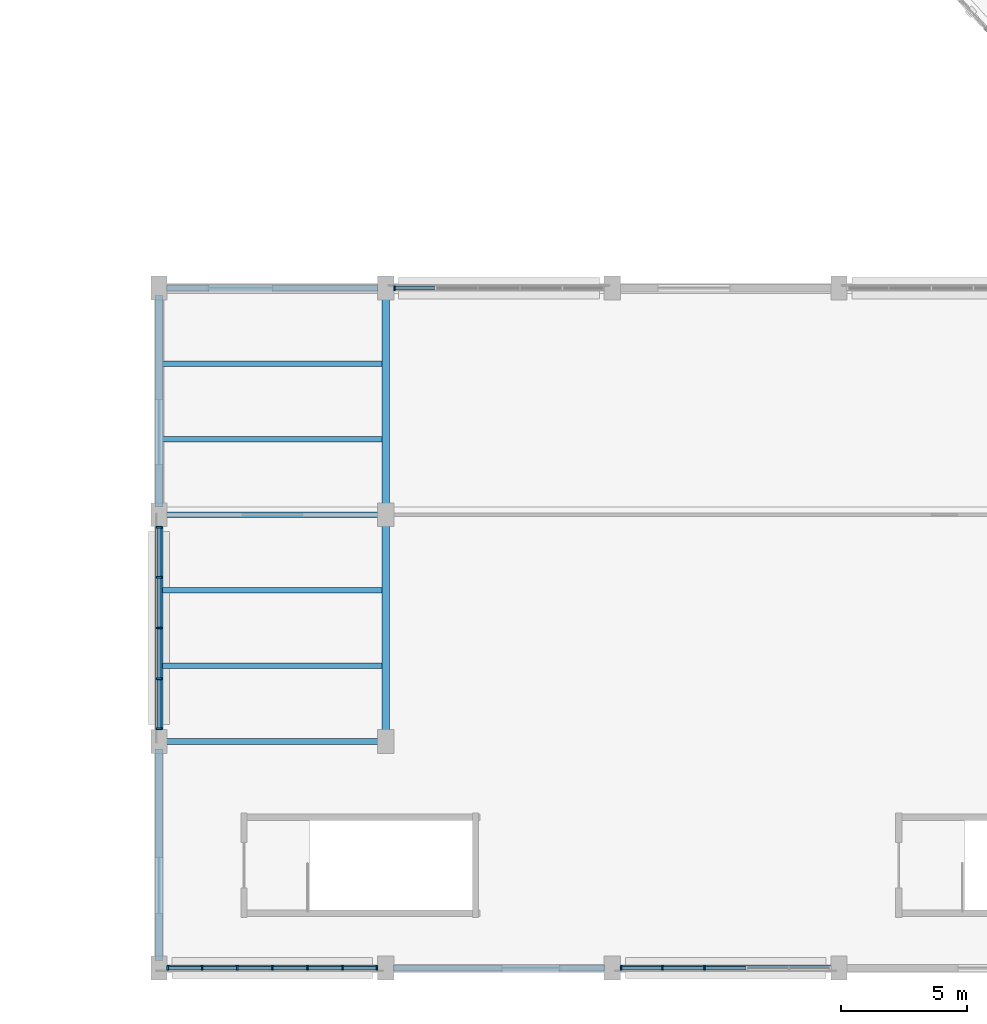
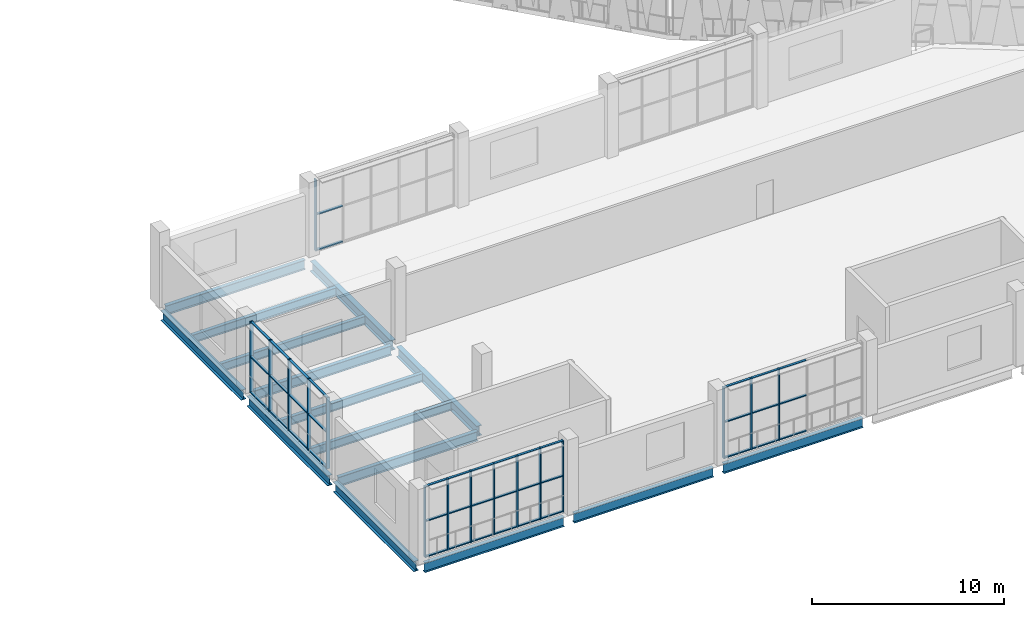
# One storey, part 3 of 152: 57 members, 15 beams, 4 elements without a shape of their own.
"""IFC4 building model written with IfcOpenShell, lengths in metres."""

from ifc_helpers import new_model, si_unit, direction, frame, origin, origin_2d, place, context, subcontext, project, spatial, rectangle, i_section, extrude, material, material_profile, profile_set, type_object, element, aggregate, save


model = new_model("IFC4")

# Units and contexts
model_context = context("Model", 3, precision=1e-05, world=origin(), true_north=direction((0.0, 1.0)))
body_context = subcontext(model_context, "Body", "Model", "MODEL_VIEW")
ifc_project = project(units=[si_unit("LENGTHUNIT", "METRE"), si_unit("AREAUNIT", "SQUARE_METRE"), si_unit("VOLUMEUNIT", "CUBIC_METRE"), si_unit("PLANEANGLEUNIT", "RADIAN"), si_unit("MASSUNIT", "GRAM", prefix="KILO")], contexts=[model_context])

# Site, building, storey
site_placement = place(None, origin())
site = spatial("IfcSite", under=ifc_project, at=site_placement, CompositionType="ELEMENT")
building_placement = place(site_placement, origin())
building = spatial("IfcBuilding", under=site, at=building_placement, Name="Zevraka Park Crest Stadium", CompositionType="ELEMENT")
storey_placement = place(building_placement, frame((0.0, 0.0, 15.0)))
storey = spatial("IfcBuildingStorey", under=building, at=storey_placement, Name="L03", CompositionType="ELEMENT", Elevation=15.0)

# Beams
ifc_material_1 = material(Name="Steel S355", Category="steel")
ifc_material_profile_1 = material_profile(ifc_material_1, i_section(OverallWidth=0.300048828125, OverallDepth=0.64990234375, WebThickness=0.01611328125, FlangeThickness=0.031005859375, at=origin_2d()), Name="HEB 650")
ifc_profile_set_1 = profile_set([ifc_material_profile_1], Name="Steel S355")
beam_type_1 = type_object("IfcBeamType", Name="BG07", PredefinedType="BEAM", material=ifc_profile_set_1)
for number, where, z_axis, x_axis, name in (
    (1, (9.0, 0.300048828125, -0.633056640625), (0.0, 1.0, 0.0), (-1.0, 0.0, 0.0), "Wing Girder BG07 L03-2/AB"),
    (2, (9.0, 9.300048828125, -0.633056640625), (0.0, 1.0, 0.0), (-1.0, 0.0, 0.0), "Wing Girder BG07 L03-2/BC"),
    (3, (9.0, 18.300048828125, -0.633056640625), (0.0, 1.0, 0.0), (-1.0, 0.0, 0.0), "Wing Girder BG07 L03-2/CD"),
    (4, (18.0, 9.300048828125, -0.633056640625), (0.0, 1.0, 0.0), (-1.0, 0.0, 0.0), "Wing Girder BG07 L03-3/BC"),
    (5, (18.0, 18.300048828125, -0.633056640625), (0.0, 1.0, 0.0), (-1.0, 0.0, 0.0), "Wing Girder BG07 L03-3/CD"),
):
    element("IfcBeam", number, at=place(storey_placement, frame(where, z_axis=z_axis, x_axis=x_axis)), inside=storey, type_object=beam_type_1, Name=name, PredefinedType="BEAM", context=body_context, shape_type="SweptSolid", body=[
        extrude(i_section(OverallWidth=0.300048828125, OverallDepth=0.64990234375, WebThickness=0.01611328125, FlangeThickness=0.031005859375, at=origin_2d()), origin(), (0.0, 0.0, 1.0), 8.39990234375),
    ])
ifc_material_2 = material(Name="Steel S355", Category="steel")
ifc_material_profile_2 = material_profile(ifc_material_2, i_section(OverallWidth=0.22900390625, OverallDepth=0.612060546875, WebThickness=0.011962890625, FlangeThickness=0.01953125, at=origin_2d()), Name="UKB 610x229x125")
ifc_profile_set_2 = profile_set([ifc_material_profile_2], Name="Steel S355")
beam_type_2 = type_object("IfcBeamType", Name="BG09", PredefinedType="BEAM", material=ifc_profile_set_2)
for number, where, z_axis, x_axis, name in (
    (6, (9.300048828125, 0.0, -0.614013671875), (1.0, 0.0, 0.0), (0.0, 1.0, 0.0), "Wing Girder BG09 L03-23/A"),
    (7, (9.300048828125, 9.0, -0.614013671875), (1.0, 0.0, 0.0), (0.0, 1.0, 0.0), "Wing Girder BG09 L03-23/B"),
    (8, (9.300048828125, 18.0, -0.614013671875), (1.0, 0.0, 0.0), (0.0, 1.0, 0.0), "Wing Girder BG09 L03-23/C"),
    (9, (9.300048828125, 27.0, -0.614013671875), (1.0, 0.0, 0.0), (0.0, 1.0, 0.0), "Wing Girder BG09 L03-23/D"),
    (10, (18.300048828125, 0.0, -0.614013671875), (1.0, 0.0, 0.0), (0.0, 1.0, 0.0), "Wing Girder BG09 L03-34/A"),
    (11, (27.300048828125, 0.0, -0.614013671875), (1.0, 0.0, 0.0), (0.0, 1.0, 0.0), "Wing Girder BG09 L03-45/A"),
):
    element("IfcBeam", number, at=place(storey_placement, frame(where, z_axis=z_axis, x_axis=x_axis)), inside=storey, type_object=beam_type_2, Name=name, PredefinedType="BEAM", context=body_context, shape_type="SweptSolid", body=[
        extrude(i_section(OverallWidth=0.22900390625, OverallDepth=0.612060546875, WebThickness=0.011962890625, FlangeThickness=0.01953125, at=origin_2d()), origin(), (0.0, 0.0, 1.0), 8.39990234375),
    ])

# Curtain wall, members
ifc_material_3 = material(Name="Anodised architectural aluminium and laminated safety glass", Category="aluminium")
curtain_wall_type_1 = type_object("IfcCurtainWallType", Name="CW29", PredefinedType="NOTDEFINED", material=ifc_material_3)
curtain_wall_1_placement = place(storey_placement, origin())
curtain_wall_1 = element("IfcCurtainWall", 12, at=curtain_wall_1_placement, inside=storey, type_object=curtain_wall_type_1, Name="Wing Curtain Wall CW29 L03-SW-S3-6", PredefinedType="NOTDEFINED")
ifc_material_4 = material(Name="Anodised architectural aluminium", Category="aluminium")
ifc_material_profile_3 = material_profile(ifc_material_4, rectangle(XDim=0.179931640625, YDim=0.06494140625, at=origin_2d()), Name="ALU MULLION 180x65")
ifc_profile_set_3 = profile_set([ifc_material_profile_3], Name="Anodised architectural aluminium")
member_type_1 = type_object("IfcMemberType", Name="CM02", PredefinedType="MULLION", material=ifc_profile_set_3)
member_1_placement = place(storey_placement, frame((30.6630859375, 0.0, 0.0), z_axis=(0.0, 0.0, 1.0), x_axis=(0.0, -1.0, 0.0)))
member_1 = element("IfcMember", 13, at=member_1_placement, type_object=member_type_1, Name="CW29 mullion 4", PredefinedType="MULLION", context=body_context, shape_type="SweptSolid", body=[
    extrude(rectangle(XDim=0.179931640625, YDim=0.06494140625, at=origin_2d()), origin(), (0.0, 0.0, 1.0), 4.5400390625),
])
member_2_placement = place(storey_placement, frame((28.989013671875, 0.0, 0.0), z_axis=(0.0, 0.0, 1.0), x_axis=(0.0, -1.0, 0.0)))
member_2 = element("IfcMember", 14, at=member_2_placement, type_object=member_type_1, Name="CW29 mullion 5", PredefinedType="MULLION", context=body_context, shape_type="SweptSolid", body=[
    extrude(rectangle(XDim=0.179931640625, YDim=0.06494140625, at=origin_2d()), origin(), (0.0, 0.0, 1.0), 4.5400390625),
])
member_3_placement = place(storey_placement, frame((27.347412109375, 0.0, 0.0), z_axis=(0.0, 0.0, 1.0), x_axis=(0.0, -1.0, 0.0)))
member_3 = element("IfcMember", 15, at=member_3_placement, type_object=member_type_1, Name="CW29 mullion 6", PredefinedType="MULLION", context=body_context, shape_type="SweptSolid", body=[
    extrude(rectangle(XDim=0.179931640625, YDim=0.06494140625, at=origin_2d()), origin(), (0.0, 0.0, 1.0), 4.5400390625),
])

ifc_material_5 = material(Name="Anodised architectural aluminium and laminated safety glass", Category="aluminium")
curtain_wall_type_2 = type_object("IfcCurtainWallType", Name="CW26", PredefinedType="NOTDEFINED", material=ifc_material_5)
curtain_wall_2_placement = place(storey_placement, origin())
curtain_wall_2 = element("IfcCurtainWall", 16, at=curtain_wall_2_placement, inside=storey, type_object=curtain_wall_type_2, Name="Wing Curtain Wall CW26 L03-SW-S3-8", PredefinedType="NOTDEFINED")
member_4_placement = place(storey_placement, frame((17.652587890625, 0.0, 0.0), z_axis=(0.0, 0.0, 1.0), x_axis=(0.0, -1.0, 0.0)))
member_4 = element("IfcMember", 17, at=member_4_placement, type_object=member_type_1, Name="CW26 mullion 1", PredefinedType="MULLION", context=body_context, shape_type="SweptSolid", body=[
    extrude(rectangle(XDim=0.179931640625, YDim=0.06494140625, at=origin_2d()), origin(), (0.0, 0.0, 1.0), 4.5400390625),
])
member_5_placement = place(storey_placement, frame((16.2900390625, 0.0, 0.0), z_axis=(0.0, 0.0, 1.0), x_axis=(0.0, -1.0, 0.0)))
member_5 = element("IfcMember", 18, at=member_5_placement, type_object=member_type_1, Name="CW26 mullion 2", PredefinedType="MULLION", context=body_context, shape_type="SweptSolid", body=[
    extrude(rectangle(XDim=0.179931640625, YDim=0.06494140625, at=origin_2d()), origin(), (0.0, 0.0, 1.0), 4.5400390625),
])
member_6_placement = place(storey_placement, frame((14.89501953125, 0.0, 0.0), z_axis=(0.0, 0.0, 1.0), x_axis=(0.0, -1.0, 0.0)))
member_6 = element("IfcMember", 19, at=member_6_placement, type_object=member_type_1, Name="CW26 mullion 3", PredefinedType="MULLION", context=body_context, shape_type="SweptSolid", body=[
    extrude(rectangle(XDim=0.179931640625, YDim=0.06494140625, at=origin_2d()), origin(), (0.0, 0.0, 1.0), 4.5400390625),
])
member_7_placement = place(storey_placement, frame((13.5, 0.0, 0.0), z_axis=(0.0, 0.0, 1.0), x_axis=(0.0, -1.0, 0.0)))
member_7 = element("IfcMember", 20, at=member_7_placement, type_object=member_type_1, Name="CW26 mullion 4", PredefinedType="MULLION", context=body_context, shape_type="SweptSolid", body=[
    extrude(rectangle(XDim=0.179931640625, YDim=0.06494140625, at=origin_2d()), origin(), (0.0, 0.0, 1.0), 4.5400390625),
])
member_8_placement = place(storey_placement, frame((12.10498046875, 0.0, 0.0), z_axis=(0.0, 0.0, 1.0), x_axis=(0.0, -1.0, 0.0)))
member_8 = element("IfcMember", 21, at=member_8_placement, type_object=member_type_1, Name="CW26 mullion 5", PredefinedType="MULLION", context=body_context, shape_type="SweptSolid", body=[
    extrude(rectangle(XDim=0.179931640625, YDim=0.06494140625, at=origin_2d()), origin(), (0.0, 0.0, 1.0), 4.5400390625),
])
member_9_placement = place(storey_placement, frame((10.7099609375, 0.0, 0.0), z_axis=(0.0, 0.0, 1.0), x_axis=(0.0, -1.0, 0.0)))
member_9 = element("IfcMember", 22, at=member_9_placement, type_object=member_type_1, Name="CW26 mullion 6", PredefinedType="MULLION", context=body_context, shape_type="SweptSolid", body=[
    extrude(rectangle(XDim=0.179931640625, YDim=0.06494140625, at=origin_2d()), origin(), (0.0, 0.0, 1.0), 4.5400390625),
])
member_10_placement = place(storey_placement, frame((9.347412109375, 0.0, 0.0), z_axis=(0.0, 0.0, 1.0), x_axis=(0.0, -1.0, 0.0)))
member_10 = element("IfcMember", 23, at=member_10_placement, type_object=member_type_1, Name="CW26 mullion 7", PredefinedType="MULLION", context=body_context, shape_type="SweptSolid", body=[
    extrude(rectangle(XDim=0.179931640625, YDim=0.06494140625, at=origin_2d()), origin(), (0.0, 0.0, 1.0), 4.5400390625),
])

ifc_material_6 = material(Name="Anodised architectural aluminium and laminated safety glass", Category="aluminium")
curtain_wall_type_3 = type_object("IfcCurtainWallType", Name="CW30", PredefinedType="NOTDEFINED", material=ifc_material_6)
curtain_wall_3_placement = place(storey_placement, origin())
curtain_wall_3 = element("IfcCurtainWall", 24, at=curtain_wall_3_placement, inside=storey, type_object=curtain_wall_type_3, Name="Wing Curtain Wall CW30 L03-SW-W-2", PredefinedType="NOTDEFINED")
ifc_material_7 = material(Name="Anodised architectural aluminium", Category="aluminium")
ifc_material_profile_4 = material_profile(ifc_material_7, rectangle(XDim=0.199951171875, YDim=0.070068359375, at=origin_2d()), Name="ALU MULLION 200x70")
ifc_profile_set_4 = profile_set([ifc_material_profile_4], Name="Anodised architectural aluminium")
member_type_2 = type_object("IfcMemberType", Name="CM03", PredefinedType="MULLION", material=ifc_profile_set_4)
member_11_placement = place(storey_placement, frame((9.0, 9.5, 0.0), z_axis=(0.0, 0.0, 1.0), x_axis=(-1.0, 0.0, 0.0)))
member_11 = element("IfcMember", 25, at=member_11_placement, type_object=member_type_2, Name="CW30 mullion 1", PredefinedType="MULLION", context=body_context, shape_type="SweptSolid", body=[
    extrude(rectangle(XDim=0.199951171875, YDim=0.070068359375, at=origin_2d()), origin(), (0.0, 0.0, 1.0), 4.5400390625),
])
member_12_placement = place(storey_placement, frame((9.0, 11.482421875, 0.0), z_axis=(0.0, 0.0, 1.0), x_axis=(-1.0, 0.0, 0.0)))
member_12 = element("IfcMember", 26, at=member_12_placement, type_object=member_type_2, Name="CW30 mullion 2", PredefinedType="MULLION", context=body_context, shape_type="SweptSolid", body=[
    extrude(rectangle(XDim=0.199951171875, YDim=0.070068359375, at=origin_2d()), origin(), (0.0, 0.0, 1.0), 4.5400390625),
])
member_13_placement = place(storey_placement, frame((9.0, 13.5, 0.0), z_axis=(0.0, 0.0, 1.0), x_axis=(-1.0, 0.0, 0.0)))
member_13 = element("IfcMember", 27, at=member_13_placement, type_object=member_type_2, Name="CW30 mullion 3", PredefinedType="MULLION", context=body_context, shape_type="SweptSolid", body=[
    extrude(rectangle(XDim=0.199951171875, YDim=0.070068359375, at=origin_2d()), origin(), (0.0, 0.0, 1.0), 4.5400390625),
])
member_14_placement = place(storey_placement, frame((9.0, 15.517578125, 0.0), z_axis=(0.0, 0.0, 1.0), x_axis=(-1.0, 0.0, 0.0)))
member_14 = element("IfcMember", 28, at=member_14_placement, type_object=member_type_2, Name="CW30 mullion 4", PredefinedType="MULLION", context=body_context, shape_type="SweptSolid", body=[
    extrude(rectangle(XDim=0.199951171875, YDim=0.070068359375, at=origin_2d()), origin(), (0.0, 0.0, 1.0), 4.5400390625),
])
member_15_placement = place(storey_placement, frame((9.0, 17.5, 0.0), z_axis=(0.0, 0.0, 1.0), x_axis=(-1.0, 0.0, 0.0)))
member_15 = element("IfcMember", 29, at=member_15_placement, type_object=member_type_2, Name="CW30 mullion 5", PredefinedType="MULLION", context=body_context, shape_type="SweptSolid", body=[
    extrude(rectangle(XDim=0.199951171875, YDim=0.070068359375, at=origin_2d()), origin(), (0.0, 0.0, 1.0), 4.5400390625),
])

# Curtain wall, member
curtain_wall_4_placement = place(storey_placement, origin())
curtain_wall_4 = element("IfcCurtainWall", 30, at=curtain_wall_4_placement, inside=storey, type_object=curtain_wall_type_3, Name="Wing Curtain Wall CW30 L03-SW-N-2", PredefinedType="NOTDEFINED")
member_16_placement = place(storey_placement, frame((18.35009765625, 27.0, 0.0), z_axis=(0.0, 0.0, 1.0), x_axis=(0.0, 1.0, 0.0)))
member_16 = element("IfcMember", 31, at=member_16_placement, type_object=member_type_2, Name="CW30 mullion 1", PredefinedType="MULLION", context=body_context, shape_type="SweptSolid", body=[
    extrude(rectangle(XDim=0.199951171875, YDim=0.070068359375, at=origin_2d()), origin(), (0.0, 0.0, 1.0), 4.5400390625),
])

# Member
ifc_material_8 = material(Name="Anodised architectural aluminium", Category="aluminium")
ifc_material_profile_5 = material_profile(ifc_material_8, rectangle(XDim=0.139892578125, YDim=0.06494140625, at=origin_2d()), Name="ALU TRANSOM 140x65")
ifc_profile_set_5 = profile_set([ifc_material_profile_5], Name="Anodised architectural aluminium")
member_type_3 = type_object("IfcMemberType", Name="CT02", PredefinedType="USERDEFINED", material=ifc_profile_set_5)
member_17_placement = place(storey_placement, frame((32.304443359375, 0.0, 0.032470703125), z_axis=(-1.0, 0.0, 0.0), x_axis=(0.0, -1.0, 0.0)))
member_17 = element("IfcMember", 32, at=member_17_placement, type_object=member_type_3, Name="CW29 transom 3.1", ObjectType="TRANSOM", PredefinedType="USERDEFINED", context=body_context, shape_type="SweptSolid", body=[
    extrude(rectangle(XDim=0.139892578125, YDim=0.06494140625, at=origin_2d()), origin(), (0.0, 0.0, 1.0), 1.60888671875),
])

member_18_placement = place(storey_placement, frame((32.304443359375, 0.0, 2.300048828125), z_axis=(-1.0, 0.0, 0.0), x_axis=(0.0, -1.0, 0.0)))
member_18 = element("IfcMember", 33, at=member_18_placement, type_object=member_type_3, Name="CW29 transom 3.2", ObjectType="TRANSOM", PredefinedType="USERDEFINED", context=body_context, shape_type="SweptSolid", body=[
    extrude(rectangle(XDim=0.139892578125, YDim=0.06494140625, at=origin_2d()), origin(), (0.0, 0.0, 1.0), 1.60888671875),
])

member_19_placement = place(storey_placement, frame((32.304443359375, 0.0, 4.507568359375), z_axis=(-1.0, 0.0, 0.0), x_axis=(0.0, -1.0, 0.0)))
member_19 = element("IfcMember", 34, at=member_19_placement, type_object=member_type_3, Name="CW29 transom 3.3", ObjectType="TRANSOM", PredefinedType="USERDEFINED", context=body_context, shape_type="SweptSolid", body=[
    extrude(rectangle(XDim=0.139892578125, YDim=0.06494140625, at=origin_2d()), origin(), (0.0, 0.0, 1.0), 1.60888671875),
])

member_20_placement = place(storey_placement, frame((30.630615234375, 0.0, 0.032470703125), z_axis=(-1.0, 0.0, 0.0), x_axis=(0.0, -1.0, 0.0)))
member_20 = element("IfcMember", 35, at=member_20_placement, type_object=member_type_3, Name="CW29 transom 4.1", ObjectType="TRANSOM", PredefinedType="USERDEFINED", context=body_context, shape_type="SweptSolid", body=[
    extrude(rectangle(XDim=0.139892578125, YDim=0.06494140625, at=origin_2d()), origin(), (0.0, 0.0, 1.0), 1.609130859375),
])

member_21_placement = place(storey_placement, frame((30.630615234375, 0.0, 2.300048828125), z_axis=(-1.0, 0.0, 0.0), x_axis=(0.0, -1.0, 0.0)))
member_21 = element("IfcMember", 36, at=member_21_placement, type_object=member_type_3, Name="CW29 transom 4.2", ObjectType="TRANSOM", PredefinedType="USERDEFINED", context=body_context, shape_type="SweptSolid", body=[
    extrude(rectangle(XDim=0.139892578125, YDim=0.06494140625, at=origin_2d()), origin(), (0.0, 0.0, 1.0), 1.609130859375),
])

member_22_placement = place(storey_placement, frame((30.630615234375, 0.0, 4.507568359375), z_axis=(-1.0, 0.0, 0.0), x_axis=(0.0, -1.0, 0.0)))
member_22 = element("IfcMember", 37, at=member_22_placement, type_object=member_type_3, Name="CW29 transom 4.3", ObjectType="TRANSOM", PredefinedType="USERDEFINED", context=body_context, shape_type="SweptSolid", body=[
    extrude(rectangle(XDim=0.139892578125, YDim=0.06494140625, at=origin_2d()), origin(), (0.0, 0.0, 1.0), 1.609130859375),
])

member_23_placement = place(storey_placement, frame((28.95654296875, 0.0, 0.032470703125), z_axis=(-1.0, 0.0, 0.0), x_axis=(0.0, -1.0, 0.0)))
member_23 = element("IfcMember", 38, at=member_23_placement, type_object=member_type_3, Name="CW29 transom 5.1", ObjectType="TRANSOM", PredefinedType="USERDEFINED", context=body_context, shape_type="SweptSolid", body=[
    extrude(rectangle(XDim=0.139892578125, YDim=0.06494140625, at=origin_2d()), origin(), (0.0, 0.0, 1.0), 1.57666015625),
])

member_24_placement = place(storey_placement, frame((28.95654296875, 0.0, 2.300048828125), z_axis=(-1.0, 0.0, 0.0), x_axis=(0.0, -1.0, 0.0)))
member_24 = element("IfcMember", 39, at=member_24_placement, type_object=member_type_3, Name="CW29 transom 5.2", ObjectType="TRANSOM", PredefinedType="USERDEFINED", context=body_context, shape_type="SweptSolid", body=[
    extrude(rectangle(XDim=0.139892578125, YDim=0.06494140625, at=origin_2d()), origin(), (0.0, 0.0, 1.0), 1.57666015625),
])

member_25_placement = place(storey_placement, frame((28.95654296875, 0.0, 4.507568359375), z_axis=(-1.0, 0.0, 0.0), x_axis=(0.0, -1.0, 0.0)))
member_25 = element("IfcMember", 40, at=member_25_placement, type_object=member_type_3, Name="CW29 transom 5.3", ObjectType="TRANSOM", PredefinedType="USERDEFINED", context=body_context, shape_type="SweptSolid", body=[
    extrude(rectangle(XDim=0.139892578125, YDim=0.06494140625, at=origin_2d()), origin(), (0.0, 0.0, 1.0), 1.57666015625),
])

aggregate(curtain_wall_1, [member_1, member_2, member_3, member_17, member_18, member_19, member_20, member_21, member_22, member_23, member_24, member_25])

member_26_placement = place(storey_placement, frame((17.6201171875, 0.0, 0.032470703125), z_axis=(-1.0, 0.0, 0.0), x_axis=(0.0, -1.0, 0.0)))
member_26 = element("IfcMember", 41, at=member_26_placement, type_object=member_type_3, Name="CW26 transom 1.1", ObjectType="TRANSOM", PredefinedType="USERDEFINED", context=body_context, shape_type="SweptSolid", body=[
    extrude(rectangle(XDim=0.139892578125, YDim=0.06494140625, at=origin_2d()), origin(), (0.0, 0.0, 1.0), 1.297607421875),
])

member_27_placement = place(storey_placement, frame((17.6201171875, 0.0, 2.300048828125), z_axis=(-1.0, 0.0, 0.0), x_axis=(0.0, -1.0, 0.0)))
member_27 = element("IfcMember", 42, at=member_27_placement, type_object=member_type_3, Name="CW26 transom 1.2", ObjectType="TRANSOM", PredefinedType="USERDEFINED", context=body_context, shape_type="SweptSolid", body=[
    extrude(rectangle(XDim=0.139892578125, YDim=0.06494140625, at=origin_2d()), origin(), (0.0, 0.0, 1.0), 1.297607421875),
])

member_28_placement = place(storey_placement, frame((17.6201171875, 0.0, 4.507568359375), z_axis=(-1.0, 0.0, 0.0), x_axis=(0.0, -1.0, 0.0)))
member_28 = element("IfcMember", 43, at=member_28_placement, type_object=member_type_3, Name="CW26 transom 1.3", ObjectType="TRANSOM", PredefinedType="USERDEFINED", context=body_context, shape_type="SweptSolid", body=[
    extrude(rectangle(XDim=0.139892578125, YDim=0.06494140625, at=origin_2d()), origin(), (0.0, 0.0, 1.0), 1.297607421875),
])

member_29_placement = place(storey_placement, frame((16.257568359375, 0.0, 0.032470703125), z_axis=(-1.0, 0.0, 0.0), x_axis=(0.0, -1.0, 0.0)))
member_29 = element("IfcMember", 44, at=member_29_placement, type_object=member_type_3, Name="CW26 transom 2.1", ObjectType="TRANSOM", PredefinedType="USERDEFINED", context=body_context, shape_type="SweptSolid", body=[
    extrude(rectangle(XDim=0.139892578125, YDim=0.06494140625, at=origin_2d()), origin(), (0.0, 0.0, 1.0), 1.330078125),
])

member_30_placement = place(storey_placement, frame((16.257568359375, 0.0, 2.300048828125), z_axis=(-1.0, 0.0, 0.0), x_axis=(0.0, -1.0, 0.0)))
member_30 = element("IfcMember", 45, at=member_30_placement, type_object=member_type_3, Name="CW26 transom 2.2", ObjectType="TRANSOM", PredefinedType="USERDEFINED", context=body_context, shape_type="SweptSolid", body=[
    extrude(rectangle(XDim=0.139892578125, YDim=0.06494140625, at=origin_2d()), origin(), (0.0, 0.0, 1.0), 1.330078125),
])

member_31_placement = place(storey_placement, frame((16.257568359375, 0.0, 4.507568359375), z_axis=(-1.0, 0.0, 0.0), x_axis=(0.0, -1.0, 0.0)))
member_31 = element("IfcMember", 46, at=member_31_placement, type_object=member_type_3, Name="CW26 transom 2.3", ObjectType="TRANSOM", PredefinedType="USERDEFINED", context=body_context, shape_type="SweptSolid", body=[
    extrude(rectangle(XDim=0.139892578125, YDim=0.06494140625, at=origin_2d()), origin(), (0.0, 0.0, 1.0), 1.330078125),
])

member_32_placement = place(storey_placement, frame((14.862548828125, 0.0, 0.032470703125), z_axis=(-1.0, 0.0, 0.0), x_axis=(0.0, -1.0, 0.0)))
member_32 = element("IfcMember", 47, at=member_32_placement, type_object=member_type_3, Name="CW26 transom 3.1", ObjectType="TRANSOM", PredefinedType="USERDEFINED", context=body_context, shape_type="SweptSolid", body=[
    extrude(rectangle(XDim=0.139892578125, YDim=0.06494140625, at=origin_2d()), origin(), (0.0, 0.0, 1.0), 1.330078125),
])

member_33_placement = place(storey_placement, frame((14.862548828125, 0.0, 2.300048828125), z_axis=(-1.0, 0.0, 0.0), x_axis=(0.0, -1.0, 0.0)))
member_33 = element("IfcMember", 48, at=member_33_placement, type_object=member_type_3, Name="CW26 transom 3.2", ObjectType="TRANSOM", PredefinedType="USERDEFINED", context=body_context, shape_type="SweptSolid", body=[
    extrude(rectangle(XDim=0.139892578125, YDim=0.06494140625, at=origin_2d()), origin(), (0.0, 0.0, 1.0), 1.330078125),
])

member_34_placement = place(storey_placement, frame((14.862548828125, 0.0, 4.507568359375), z_axis=(-1.0, 0.0, 0.0), x_axis=(0.0, -1.0, 0.0)))
member_34 = element("IfcMember", 49, at=member_34_placement, type_object=member_type_3, Name="CW26 transom 3.3", ObjectType="TRANSOM", PredefinedType="USERDEFINED", context=body_context, shape_type="SweptSolid", body=[
    extrude(rectangle(XDim=0.139892578125, YDim=0.06494140625, at=origin_2d()), origin(), (0.0, 0.0, 1.0), 1.330078125),
])

member_35_placement = place(storey_placement, frame((13.467529296875, 0.0, 0.032470703125), z_axis=(-1.0, 0.0, 0.0), x_axis=(0.0, -1.0, 0.0)))
member_35 = element("IfcMember", 50, at=member_35_placement, type_object=member_type_3, Name="CW26 transom 4.1", ObjectType="TRANSOM", PredefinedType="USERDEFINED", context=body_context, shape_type="SweptSolid", body=[
    extrude(rectangle(XDim=0.139892578125, YDim=0.06494140625, at=origin_2d()), origin(), (0.0, 0.0, 1.0), 1.330078125),
])

member_36_placement = place(storey_placement, frame((13.467529296875, 0.0, 2.300048828125), z_axis=(-1.0, 0.0, 0.0), x_axis=(0.0, -1.0, 0.0)))
member_36 = element("IfcMember", 51, at=member_36_placement, type_object=member_type_3, Name="CW26 transom 4.2", ObjectType="TRANSOM", PredefinedType="USERDEFINED", context=body_context, shape_type="SweptSolid", body=[
    extrude(rectangle(XDim=0.139892578125, YDim=0.06494140625, at=origin_2d()), origin(), (0.0, 0.0, 1.0), 1.330078125),
])

member_37_placement = place(storey_placement, frame((13.467529296875, 0.0, 4.507568359375), z_axis=(-1.0, 0.0, 0.0), x_axis=(0.0, -1.0, 0.0)))
member_37 = element("IfcMember", 52, at=member_37_placement, type_object=member_type_3, Name="CW26 transom 4.3", ObjectType="TRANSOM", PredefinedType="USERDEFINED", context=body_context, shape_type="SweptSolid", body=[
    extrude(rectangle(XDim=0.139892578125, YDim=0.06494140625, at=origin_2d()), origin(), (0.0, 0.0, 1.0), 1.330078125),
])

member_38_placement = place(storey_placement, frame((12.072509765625, 0.0, 0.032470703125), z_axis=(-1.0, 0.0, 0.0), x_axis=(0.0, -1.0, 0.0)))
member_38 = element("IfcMember", 53, at=member_38_placement, type_object=member_type_3, Name="CW26 transom 5.1", ObjectType="TRANSOM", PredefinedType="USERDEFINED", context=body_context, shape_type="SweptSolid", body=[
    extrude(rectangle(XDim=0.139892578125, YDim=0.06494140625, at=origin_2d()), origin(), (0.0, 0.0, 1.0), 1.330078125),
])

member_39_placement = place(storey_placement, frame((12.072509765625, 0.0, 2.300048828125), z_axis=(-1.0, 0.0, 0.0), x_axis=(0.0, -1.0, 0.0)))
member_39 = element("IfcMember", 54, at=member_39_placement, type_object=member_type_3, Name="CW26 transom 5.2", ObjectType="TRANSOM", PredefinedType="USERDEFINED", context=body_context, shape_type="SweptSolid", body=[
    extrude(rectangle(XDim=0.139892578125, YDim=0.06494140625, at=origin_2d()), origin(), (0.0, 0.0, 1.0), 1.330078125),
])

member_40_placement = place(storey_placement, frame((12.072509765625, 0.0, 4.507568359375), z_axis=(-1.0, 0.0, 0.0), x_axis=(0.0, -1.0, 0.0)))
member_40 = element("IfcMember", 55, at=member_40_placement, type_object=member_type_3, Name="CW26 transom 5.3", ObjectType="TRANSOM", PredefinedType="USERDEFINED", context=body_context, shape_type="SweptSolid", body=[
    extrude(rectangle(XDim=0.139892578125, YDim=0.06494140625, at=origin_2d()), origin(), (0.0, 0.0, 1.0), 1.330078125),
])

member_41_placement = place(storey_placement, frame((10.677490234375, 0.0, 0.032470703125), z_axis=(-1.0, 0.0, 0.0), x_axis=(0.0, -1.0, 0.0)))
member_41 = element("IfcMember", 56, at=member_41_placement, type_object=member_type_3, Name="CW26 transom 6.1", ObjectType="TRANSOM", PredefinedType="USERDEFINED", context=body_context, shape_type="SweptSolid", body=[
    extrude(rectangle(XDim=0.139892578125, YDim=0.06494140625, at=origin_2d()), origin(), (0.0, 0.0, 1.0), 1.297607421875),
])

member_42_placement = place(storey_placement, frame((10.677490234375, 0.0, 2.300048828125), z_axis=(-1.0, 0.0, 0.0), x_axis=(0.0, -1.0, 0.0)))
member_42 = element("IfcMember", 57, at=member_42_placement, type_object=member_type_3, Name="CW26 transom 6.2", ObjectType="TRANSOM", PredefinedType="USERDEFINED", context=body_context, shape_type="SweptSolid", body=[
    extrude(rectangle(XDim=0.139892578125, YDim=0.06494140625, at=origin_2d()), origin(), (0.0, 0.0, 1.0), 1.297607421875),
])

member_43_placement = place(storey_placement, frame((10.677490234375, 0.0, 4.507568359375), z_axis=(-1.0, 0.0, 0.0), x_axis=(0.0, -1.0, 0.0)))
member_43 = element("IfcMember", 58, at=member_43_placement, type_object=member_type_3, Name="CW26 transom 6.3", ObjectType="TRANSOM", PredefinedType="USERDEFINED", context=body_context, shape_type="SweptSolid", body=[
    extrude(rectangle(XDim=0.139892578125, YDim=0.06494140625, at=origin_2d()), origin(), (0.0, 0.0, 1.0), 1.297607421875),
])

aggregate(curtain_wall_2, [member_4, member_5, member_6, member_7, member_8, member_9, member_10, member_26, member_27, member_28, member_29, member_30, member_31, member_32, member_33, member_34, member_35, member_36, member_37, member_38, member_39, member_40, member_41, member_42, member_43])

ifc_material_9 = material(Name="Anodised architectural aluminium", Category="aluminium")
ifc_material_profile_6 = material_profile(ifc_material_9, rectangle(XDim=0.14990234375, YDim=0.070068359375, at=origin_2d()), Name="ALU TRANSOM 150x70")
ifc_profile_set_6 = profile_set([ifc_material_profile_6], Name="Anodised architectural aluminium")
member_type_4 = type_object("IfcMemberType", Name="CT03", PredefinedType="USERDEFINED", material=ifc_profile_set_6)
member_44_placement = place(storey_placement, frame((9.0, 9.534912109375, 0.034912109375), z_axis=(0.0, 1.0, 0.0), x_axis=(-1.0, 0.0, 0.0)))
member_44 = element("IfcMember", 59, at=member_44_placement, type_object=member_type_4, Name="CW30 transom 1.1", ObjectType="TRANSOM", PredefinedType="USERDEFINED", context=body_context, shape_type="SweptSolid", body=[
    extrude(rectangle(XDim=0.14990234375, YDim=0.070068359375, at=origin_2d()), origin(), (0.0, 0.0, 1.0), 1.91259765625),
])

member_45_placement = place(storey_placement, frame((9.0, 9.534912109375, 2.300048828125), z_axis=(0.0, 1.0, 0.0), x_axis=(-1.0, 0.0, 0.0)))
member_45 = element("IfcMember", 60, at=member_45_placement, type_object=member_type_4, Name="CW30 transom 1.2", ObjectType="TRANSOM", PredefinedType="USERDEFINED", context=body_context, shape_type="SweptSolid", body=[
    extrude(rectangle(XDim=0.14990234375, YDim=0.070068359375, at=origin_2d()), origin(), (0.0, 0.0, 1.0), 1.91259765625),
])

member_46_placement = place(storey_placement, frame((9.0, 9.534912109375, 4.5048828125), z_axis=(0.0, 1.0, 0.0), x_axis=(-1.0, 0.0, 0.0)))
member_46 = element("IfcMember", 61, at=member_46_placement, type_object=member_type_4, Name="CW30 transom 1.3", ObjectType="TRANSOM", PredefinedType="USERDEFINED", context=body_context, shape_type="SweptSolid", body=[
    extrude(rectangle(XDim=0.14990234375, YDim=0.070068359375, at=origin_2d()), origin(), (0.0, 0.0, 1.0), 1.91259765625),
])

member_47_placement = place(storey_placement, frame((9.0, 11.517578125, 0.034912109375), z_axis=(0.0, 1.0, 0.0), x_axis=(-1.0, 0.0, 0.0)))
member_47 = element("IfcMember", 62, at=member_47_placement, type_object=member_type_4, Name="CW30 transom 2.1", ObjectType="TRANSOM", PredefinedType="USERDEFINED", context=body_context, shape_type="SweptSolid", body=[
    extrude(rectangle(XDim=0.14990234375, YDim=0.070068359375, at=origin_2d()), origin(), (0.0, 0.0, 1.0), 1.947509765625),
])

member_48_placement = place(storey_placement, frame((9.0, 11.517578125, 2.300048828125), z_axis=(0.0, 1.0, 0.0), x_axis=(-1.0, 0.0, 0.0)))
member_48 = element("IfcMember", 63, at=member_48_placement, type_object=member_type_4, Name="CW30 transom 2.2", ObjectType="TRANSOM", PredefinedType="USERDEFINED", context=body_context, shape_type="SweptSolid", body=[
    extrude(rectangle(XDim=0.14990234375, YDim=0.070068359375, at=origin_2d()), origin(), (0.0, 0.0, 1.0), 1.947509765625),
])

member_49_placement = place(storey_placement, frame((9.0, 11.517578125, 4.5048828125), z_axis=(0.0, 1.0, 0.0), x_axis=(-1.0, 0.0, 0.0)))
member_49 = element("IfcMember", 64, at=member_49_placement, type_object=member_type_4, Name="CW30 transom 2.3", ObjectType="TRANSOM", PredefinedType="USERDEFINED", context=body_context, shape_type="SweptSolid", body=[
    extrude(rectangle(XDim=0.14990234375, YDim=0.070068359375, at=origin_2d()), origin(), (0.0, 0.0, 1.0), 1.947509765625),
])

member_50_placement = place(storey_placement, frame((9.0, 13.534912109375, 0.034912109375), z_axis=(0.0, 1.0, 0.0), x_axis=(-1.0, 0.0, 0.0)))
member_50 = element("IfcMember", 65, at=member_50_placement, type_object=member_type_4, Name="CW30 transom 3.1", ObjectType="TRANSOM", PredefinedType="USERDEFINED", context=body_context, shape_type="SweptSolid", body=[
    extrude(rectangle(XDim=0.14990234375, YDim=0.070068359375, at=origin_2d()), origin(), (0.0, 0.0, 1.0), 1.947509765625),
])

member_51_placement = place(storey_placement, frame((9.0, 13.534912109375, 2.300048828125), z_axis=(0.0, 1.0, 0.0), x_axis=(-1.0, 0.0, 0.0)))
member_51 = element("IfcMember", 66, at=member_51_placement, type_object=member_type_4, Name="CW30 transom 3.2", ObjectType="TRANSOM", PredefinedType="USERDEFINED", context=body_context, shape_type="SweptSolid", body=[
    extrude(rectangle(XDim=0.14990234375, YDim=0.070068359375, at=origin_2d()), origin(), (0.0, 0.0, 1.0), 1.947509765625),
])

member_52_placement = place(storey_placement, frame((9.0, 13.534912109375, 4.5048828125), z_axis=(0.0, 1.0, 0.0), x_axis=(-1.0, 0.0, 0.0)))
member_52 = element("IfcMember", 67, at=member_52_placement, type_object=member_type_4, Name="CW30 transom 3.3", ObjectType="TRANSOM", PredefinedType="USERDEFINED", context=body_context, shape_type="SweptSolid", body=[
    extrude(rectangle(XDim=0.14990234375, YDim=0.070068359375, at=origin_2d()), origin(), (0.0, 0.0, 1.0), 1.947509765625),
])

member_53_placement = place(storey_placement, frame((9.0, 15.552490234375, 0.034912109375), z_axis=(0.0, 1.0, 0.0), x_axis=(-1.0, 0.0, 0.0)))
member_53 = element("IfcMember", 68, at=member_53_placement, type_object=member_type_4, Name="CW30 transom 4.1", ObjectType="TRANSOM", PredefinedType="USERDEFINED", context=body_context, shape_type="SweptSolid", body=[
    extrude(rectangle(XDim=0.14990234375, YDim=0.070068359375, at=origin_2d()), origin(), (0.0, 0.0, 1.0), 1.91259765625),
])

member_54_placement = place(storey_placement, frame((9.0, 15.552490234375, 2.300048828125), z_axis=(0.0, 1.0, 0.0), x_axis=(-1.0, 0.0, 0.0)))
member_54 = element("IfcMember", 69, at=member_54_placement, type_object=member_type_4, Name="CW30 transom 4.2", ObjectType="TRANSOM", PredefinedType="USERDEFINED", context=body_context, shape_type="SweptSolid", body=[
    extrude(rectangle(XDim=0.14990234375, YDim=0.070068359375, at=origin_2d()), origin(), (0.0, 0.0, 1.0), 1.91259765625),
])

member_55_placement = place(storey_placement, frame((9.0, 15.552490234375, 4.5048828125), z_axis=(0.0, 1.0, 0.0), x_axis=(-1.0, 0.0, 0.0)))
member_55 = element("IfcMember", 70, at=member_55_placement, type_object=member_type_4, Name="CW30 transom 4.3", ObjectType="TRANSOM", PredefinedType="USERDEFINED", context=body_context, shape_type="SweptSolid", body=[
    extrude(rectangle(XDim=0.14990234375, YDim=0.070068359375, at=origin_2d()), origin(), (0.0, 0.0, 1.0), 1.91259765625),
])

aggregate(curtain_wall_3, [member_11, member_12, member_13, member_14, member_15, member_44, member_45, member_46, member_47, member_48, member_49, member_50, member_51, member_52, member_53, member_54, member_55])

member_56_placement = place(storey_placement, frame((18.385009765625, 27.0, 0.034912109375), z_axis=(1.0, 0.0, 0.0), x_axis=(0.0, 1.0, 0.0)))
member_56 = element("IfcMember", 71, at=member_56_placement, type_object=member_type_4, Name="CW30 transom 1.1", ObjectType="TRANSOM", PredefinedType="USERDEFINED", context=body_context, shape_type="SweptSolid", body=[
    extrude(rectangle(XDim=0.14990234375, YDim=0.070068359375, at=origin_2d()), origin(), (0.0, 0.0, 1.0), 1.569091796875),
])

member_57_placement = place(storey_placement, frame((18.385009765625, 27.0, 2.300048828125), z_axis=(1.0, 0.0, 0.0), x_axis=(0.0, 1.0, 0.0)))
member_57 = element("IfcMember", 72, at=member_57_placement, type_object=member_type_4, Name="CW30 transom 1.2", ObjectType="TRANSOM", PredefinedType="USERDEFINED", context=body_context, shape_type="SweptSolid", body=[
    extrude(rectangle(XDim=0.14990234375, YDim=0.070068359375, at=origin_2d()), origin(), (0.0, 0.0, 1.0), 1.569091796875),
])

aggregate(curtain_wall_4, [member_16, member_56, member_57])

# Beams
ifc_material_10 = material(Name="Steel S355", Category="steel")
ifc_material_profile_7 = material_profile(ifc_material_10, i_section(OverallWidth=0.209228515625, OverallDepth=0.533203125, WebThickness=0.010009765625, FlangeThickness=0.015625, at=origin_2d()), Name="UKB 533x210x92")
ifc_profile_set_7 = profile_set([ifc_material_profile_7], Name="Steel S355")
beam_type_3 = type_object("IfcBeamType", Name="SJ05", PredefinedType="JOIST", material=ifc_profile_set_7)
for number, where, z_axis, x_axis, name in (
    (73, (9.14501953125, 12.0, -0.57666015625), (1.0, 0.0, 0.0), (0.0, 1.0, 0.0), "Wing Joist SJ05 L03-2/B-1"),
    (74, (9.14501953125, 15.0, -0.57666015625), (1.0, 0.0, 0.0), (0.0, 1.0, 0.0), "Wing Joist SJ05 L03-2/B-2"),
    (75, (9.14501953125, 21.0, -0.57666015625), (1.0, 0.0, 0.0), (0.0, 1.0, 0.0), "Wing Joist SJ05 L03-2/C-1"),
    (76, (9.14501953125, 24.0, -0.57666015625), (1.0, 0.0, 0.0), (0.0, 1.0, 0.0), "Wing Joist SJ05 L03-2/C-2"),
):
    element("IfcBeam", number, at=place(storey_placement, frame(where, z_axis=z_axis, x_axis=x_axis)), inside=storey, type_object=beam_type_3, Name=name, PredefinedType="JOIST", context=body_context, shape_type="SweptSolid", body=[
        extrude(i_section(OverallWidth=0.209228515625, OverallDepth=0.533203125, WebThickness=0.010009765625, FlangeThickness=0.015625, at=origin_2d()), origin(), (0.0, 0.0, 1.0), 8.7099609375),
    ])

save(model, "model.ifc")
